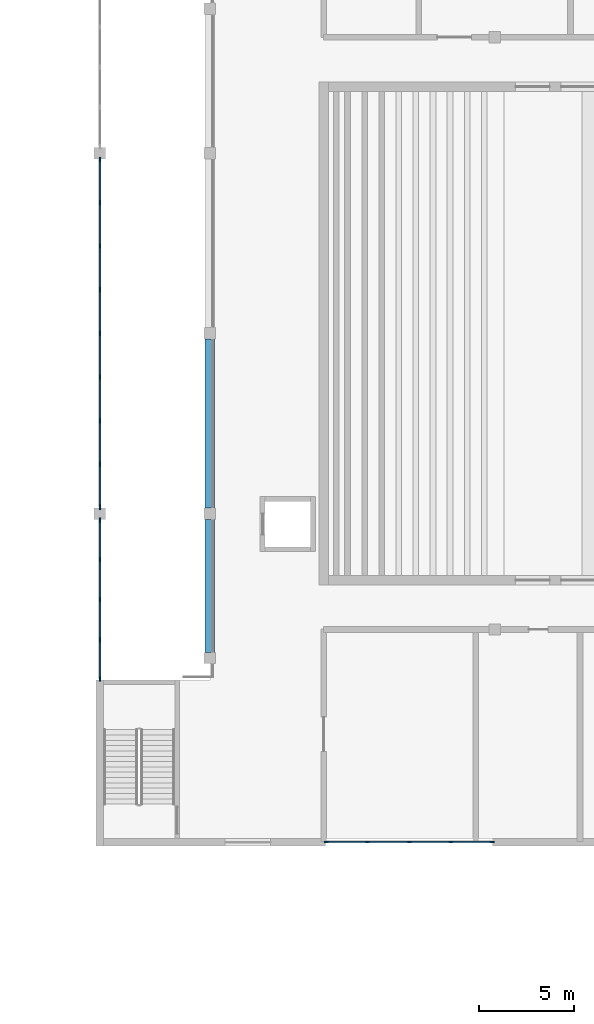
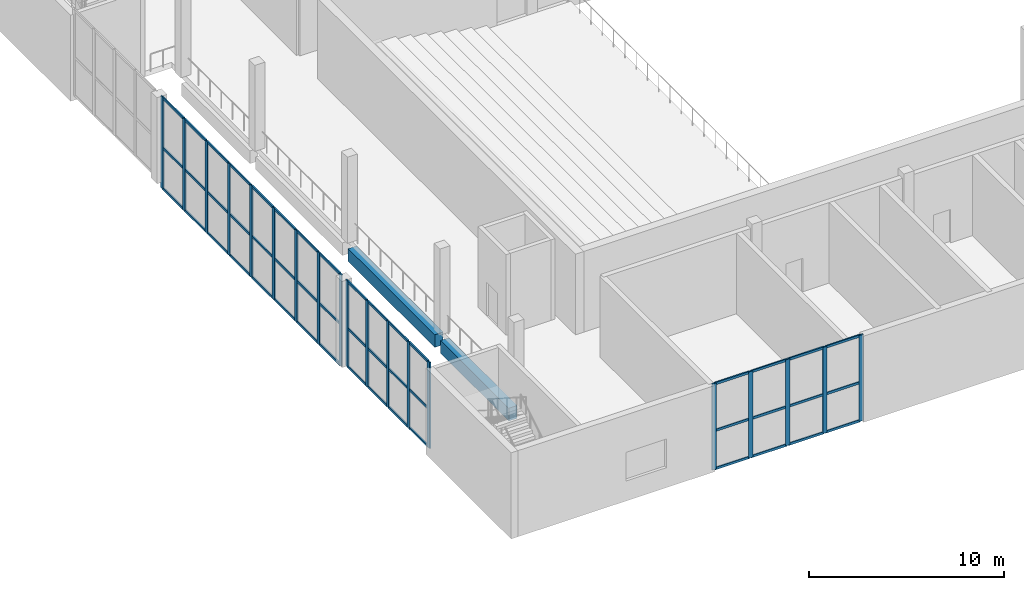
# One storey, part 8 of 44: 67 members, 2 beams, 3 elements without a shape of their own.
"""IFC4 building model written with IfcOpenShell, lengths in metres."""

import ifcopenshell
import ifcopenshell.guid

model = None  # the IFC model being written
_history = None  # IfcOwnerHistory: only IFC2X3 demands one
_inside = {}  # id of a spatial element -> (the spatial element, [elements in it])
_under = {}  # id of a project, library or spatial element -> (it, [spatial elements below it])
_declared = {}  # id of a project -> (the project, [libraries it declares])
_typed = {}  # id of a type object -> (the type object, [elements of that type])
_made_of = {}  # id of a material, layer set ... -> (it, [elements and type objects made of it])


def new_model(schema):
    """Start an empty IFC model of exactly this schema.

    Asked for "IFC4X3", IfcOpenShell would pick the latest addendum, in which some entities
    have other attributes; the version numbers below select the first issue.
    IFC2X3 requires an IfcOwnerHistory on every rooted entity: one is made here for all.
    """
    global model, _history
    if schema == "IFC4X3":
        model = ifcopenshell.file(schema_version=(4, 3, 0, 0))
    else:
        model = ifcopenshell.file(schema=schema)
    _inside.clear()
    _under.clear()
    _declared.clear()
    _typed.clear()
    _made_of.clear()
    _history = None
    if model.schema == "IFC2X3":
        org = make("IfcOrganization", Name="unknown")
        user = make(
            "IfcPersonAndOrganization",
            ThePerson=make("IfcPerson", FamilyName="unknown"),
            TheOrganization=org,
        )
        app = make(
            "IfcApplication",
            ApplicationDeveloper=org,
            Version="unknown",
            ApplicationFullName="unknown",
            ApplicationIdentifier="unknown",
        )
        _history = make(
            "IfcOwnerHistory",
            OwningUser=user,
            OwningApplication=app,
            ChangeAction="ADDED",
            CreationDate=0,
        )
    return model


def make(cls, **values):
    """One entity of the class cls with the attributes given. An attribute that is None is left unset."""
    return model.create_entity(
        cls, **{name: value for name, value in values.items() if value is not None}
    )


def rooted(cls, **values):
    """An entity with a GlobalId (a new one), such as an element, a storey or a relation."""
    return make(cls, GlobalId=ifcopenshell.guid.new(), OwnerHistory=_history, **values)


def si_unit(unit_type, name, prefix=None):
    """IfcSIUnit, for example si_unit("LENGTHUNIT", "METRE", prefix="MILLI")."""
    return make("IfcSIUnit", UnitType=unit_type, Prefix=prefix, Name=name)


def assignment(units):
    """IfcUnitAssignment: the units of a project."""
    return None if units is None else make("IfcUnitAssignment", Units=units)


def point(xyz):
    """IfcCartesianPoint."""
    return None if xyz is None else make("IfcCartesianPoint", Coordinates=xyz)


def direction(xyz):
    """IfcDirection."""
    return None if xyz is None else make("IfcDirection", DirectionRatios=xyz)


def frame(location, z_axis=None, x_axis=None):
    """IfcAxis2Placement3D, a coordinate frame: its origin and axes. An axis left out is left unset."""
    return make(
        "IfcAxis2Placement3D",
        Location=point(location),
        Axis=direction(z_axis),
        RefDirection=direction(x_axis),
    )


def frame_2d(location, x_axis=None):
    """IfcAxis2Placement2D, a coordinate frame in the plane: its origin and x axis."""
    return make(
        "IfcAxis2Placement2D", Location=point(location), RefDirection=direction(x_axis)
    )


def origin():
    """The frame at (0, 0, 0) with its axes left unset."""
    return frame((0.0, 0.0, 0.0))


def origin_2d():
    """The frame at (0, 0) in the plane with its x axis left unset."""
    return frame_2d((0.0, 0.0))


def place(relative_to, where):
    """IfcLocalPlacement: puts the frame where relative to a parent placement (None: the world)."""
    return make(
        "IfcLocalPlacement", PlacementRelTo=relative_to, RelativePlacement=where
    )


def context(
    kind, dimensions, precision=None, world=None, true_north=None, identifier=None
):
    """IfcGeometricRepresentationContext, for example the 3D "Model" context."""
    return make(
        "IfcGeometricRepresentationContext",
        ContextIdentifier=identifier,
        ContextType=kind,
        CoordinateSpaceDimension=dimensions,
        Precision=precision,
        WorldCoordinateSystem=world,
        TrueNorth=true_north,
    )


def subcontext(parent, identifier, kind, view, scale=None):
    """IfcGeometricRepresentationSubContext, for example "Body" below "Model"."""
    return make(
        "IfcGeometricRepresentationSubContext",
        ContextIdentifier=identifier,
        ContextType=kind,
        ParentContext=parent,
        TargetScale=scale,
        TargetView=view,
    )


def project(units=None, contexts=None):
    """IfcProject with its units and contexts."""
    return rooted(
        "IfcProject",
        Name="project",
        RepresentationContexts=contexts,
        UnitsInContext=assignment(units),
    )


def spatial(cls, under=None, at=None, **own):
    """A site, building, storey or space (cls), placed at a placement, below another one or the project."""
    s = rooted(cls, ObjectPlacement=at, **own)
    if under is not None:
        _under.setdefault(under.id(), (under, []))[1].append(s)
    return s


def profile(cls, at=None, kind="AREA", **sizes):
    """A parametric profile (cls). Its sizes go by their IFC names, for example OverallWidth=200.0."""
    return make(cls, ProfileType=kind, Position=at, **sizes)


def rectangle(**sizes):
    """IfcRectangleProfileDef."""
    return profile("IfcRectangleProfileDef", **sizes)


def extrude(swept, where, along, depth):
    """IfcExtrudedAreaSolid: the profile swept, set in the frame where, extruded along a direction by depth."""
    return make(
        "IfcExtrudedAreaSolid",
        SweptArea=swept,
        Position=where,
        ExtrudedDirection=direction(along),
        Depth=depth,
    )


def shape(context_of_items, identifier, shape_type, items):
    """IfcShapeRepresentation: the items that make up one representation, for example the "Body"."""
    return make(
        "IfcShapeRepresentation",
        ContextOfItems=context_of_items,
        RepresentationIdentifier=identifier,
        RepresentationType=shape_type,
        Items=items,
    )


def material(Name=None, Category=None):
    """IfcMaterial."""
    return make("IfcMaterial", Name=Name, Category=Category)


def material_profile(
    of_material, cross_section, Name=None, Category=None, Priority=None
):
    """IfcMaterialProfile: a cross section and its material."""
    return make(
        "IfcMaterialProfile",
        Name=Name,
        Material=of_material,
        Profile=cross_section,
        Priority=Priority,
        Category=Category,
    )


def profile_set(profiles, Name=None, composite=None):
    """IfcMaterialProfileSet."""
    return make(
        "IfcMaterialProfileSet",
        Name=Name,
        MaterialProfiles=profiles,
        CompositeProfile=composite,
    )


def made_of(thing, what):
    """Note that an element or type object is made of a material, layer set ...; save() writes the relation."""
    if what is not None:
        _made_of.setdefault(what.id(), (what, []))[1].append(thing)
    return thing


def type_object(cls, material=None, **own):
    """A type object (cls), such as IfcWallType, which elements share."""
    return made_of(rooted(cls, **own), material)


def element(
    cls,
    number,
    at=None,
    inside=None,
    cuts=None,
    type_object=None,
    material=None,
    context=None,
    identifier="Body",
    shape_type=None,
    held_by="IfcProductDefinitionShape",
    body=None,
    shapes=None,
    **own,
):
    """One element of the class cls, such as IfcWall. Its Tag is "e" and its number.

    at: its placement. inside: the storey or other place that contains it. cuts: it is an
    opening in that element (IfcRelVoidsElement). A single representation is given by context,
    identifier, shape_type and body (its items); several are given by shapes. held_by: the class
    of the entity that holds the representations. save() writes the other relations.
    """
    e = rooted(cls, Tag="e%d" % number, ObjectPlacement=at, **own)
    if body is not None:
        shapes = [shape(context, identifier, shape_type, body)]
    if shapes is not None:
        e.Representation = make(held_by, Representations=shapes)
    if inside is not None:
        _inside.setdefault(inside.id(), (inside, []))[1].append(e)
    if cuts is not None:
        rooted(
            "IfcRelVoidsElement", RelatingBuildingElement=cuts, RelatedOpeningElement=e
        )
    if type_object is not None:
        _typed.setdefault(type_object.id(), (type_object, []))[1].append(e)
    return made_of(e, material)


def aggregate(whole, parts):
    """IfcRelAggregates: a whole, such as a stair, and the parts it consists of."""
    return rooted("IfcRelAggregates", RelatingObject=whole, RelatedObjects=parts)


def save(model, path):
    """Write the relations noted so far, then the file.

    IfcRelAggregates (storeys below a building ...), IfcRelContainedInSpatialStructure (elements
    in a storey), IfcRelDefinesByType, IfcRelAssociatesMaterial and IfcRelDeclares: one each for
    every whole, place, type object, material and project.
    """
    for whole, parts in _under.values():
        aggregate(whole, parts)
    for where, things in _inside.values():
        rooted(
            "IfcRelContainedInSpatialStructure",
            RelatedElements=things,
            RelatingStructure=where,
        )
    for kind, things in _typed.values():
        rooted("IfcRelDefinesByType", RelatedObjects=things, RelatingType=kind)
    for what, things in _made_of.values():
        rooted("IfcRelAssociatesMaterial", RelatedObjects=things, RelatingMaterial=what)
    for by, libraries in _declared.values():
        rooted("IfcRelDeclares", RelatingContext=by, RelatedDefinitions=libraries)
    model.write(path)


model = new_model("IFC4")

# Units and contexts
model_context = context("Model", 3, precision=1e-05, world=origin(), true_north=direction((0.0, 1.0)))
body_context = subcontext(model_context, "Body", "Model", "MODEL_VIEW")
ifc_project = project(units=[si_unit("LENGTHUNIT", "METRE"), si_unit("AREAUNIT", "SQUARE_METRE"), si_unit("VOLUMEUNIT", "CUBIC_METRE"), si_unit("PLANEANGLEUNIT", "RADIAN"), si_unit("MASSUNIT", "GRAM", prefix="KILO")], contexts=[model_context])

# Site, building, storey
site_placement = place(None, origin())
site = spatial("IfcSite", under=ifc_project, at=site_placement, CompositionType="ELEMENT")
building_placement = place(site_placement, origin())
building = spatial("IfcBuilding", under=site, at=building_placement, Name="Hunhe Ridgeline Campus", CompositionType="ELEMENT")
storey_placement = place(building_placement, frame((0.0, 0.0, 6.0)))
storey = spatial("IfcBuildingStorey", under=building, at=storey_placement, Name="L01", CompositionType="ELEMENT", Elevation=6.0)

# Curtain wall, members
ifc_material_1 = material(Name="Aluminium and glass", Category="aluminium")
curtain_wall_type = type_object("IfcCurtainWallType", Name="Hall foyer curtain wall CW-H", PredefinedType="NOTDEFINED", material=ifc_material_1)
curtain_wall_1_placement = place(storey_placement, origin())
curtain_wall_1 = element("IfcCurtainWall", 1, at=curtain_wall_1_placement, inside=storey, type_object=curtain_wall_type, Name="L01 foyer curtain wall 3", PredefinedType="NOTDEFINED")
ifc_material_2 = material(Name="Aluminium", Category="aluminium")
ifc_material_profile_1 = material_profile(ifc_material_2, rectangle(XDim=0.080078125, YDim=0.25, at=origin_2d()))
ifc_profile_set_1 = profile_set([ifc_material_profile_1], Name="Aluminium")
member_type_1 = type_object("IfcMemberType", Name="CW-H mullion 80x250", PredefinedType="MULLION", material=ifc_profile_set_1)
member_1_placement = place(storey_placement, frame((150.199951171875, 31.2900390625, 0.0), z_axis=(0.0, 0.0, 1.0), x_axis=(-1.0, 0.0, 0.0)))
member_1 = element("IfcMember", 2, at=member_1_placement, type_object=member_type_1, Name="HCW1 mullion 1", PredefinedType="MULLION", context=body_context, shape_type="SweptSolid", body=[
    extrude(rectangle(XDim=0.080078125, YDim=0.25, at=origin_2d()), origin(), (0.0, 0.0, 1.0), 5.39990234375),
])
member_2_placement = place(storey_placement, frame((150.199951171875, 33.362548828125, 0.0), z_axis=(0.0, 0.0, 1.0), x_axis=(-1.0, 0.0, 0.0)))
member_2 = element("IfcMember", 3, at=member_2_placement, type_object=member_type_1, Name="HCW1 mullion 2", PredefinedType="MULLION", context=body_context, shape_type="SweptSolid", body=[
    extrude(rectangle(XDim=0.080078125, YDim=0.25, at=origin_2d()), origin(), (0.0, 0.0, 1.0), 5.39990234375),
])
member_3_placement = place(storey_placement, frame((150.199951171875, 35.47509765625, 0.0), z_axis=(0.0, 0.0, 1.0), x_axis=(-1.0, 0.0, 0.0)))
member_3 = element("IfcMember", 4, at=member_3_placement, type_object=member_type_1, Name="HCW1 mullion 3", PredefinedType="MULLION", context=body_context, shape_type="SweptSolid", body=[
    extrude(rectangle(XDim=0.080078125, YDim=0.25, at=origin_2d()), origin(), (0.0, 0.0, 1.0), 5.39990234375),
])
member_4_placement = place(storey_placement, frame((150.199951171875, 37.58740234375, 0.0), z_axis=(0.0, 0.0, 1.0), x_axis=(-1.0, 0.0, 0.0)))
member_4 = element("IfcMember", 5, at=member_4_placement, type_object=member_type_1, Name="HCW1 mullion 4", PredefinedType="MULLION", context=body_context, shape_type="SweptSolid", body=[
    extrude(rectangle(XDim=0.080078125, YDim=0.25, at=origin_2d()), origin(), (0.0, 0.0, 1.0), 5.39990234375),
])
member_5_placement = place(storey_placement, frame((150.199951171875, 39.659912109375, 0.0), z_axis=(0.0, 0.0, 1.0), x_axis=(-1.0, 0.0, 0.0)))
member_5 = element("IfcMember", 6, at=member_5_placement, type_object=member_type_1, Name="HCW1 mullion 5", PredefinedType="MULLION", context=body_context, shape_type="SweptSolid", body=[
    extrude(rectangle(XDim=0.080078125, YDim=0.25, at=origin_2d()), origin(), (0.0, 0.0, 1.0), 5.39990234375),
])

curtain_wall_2_placement = place(storey_placement, origin())
curtain_wall_2 = element("IfcCurtainWall", 7, at=curtain_wall_2_placement, inside=storey, type_object=curtain_wall_type, Name="L01 foyer curtain wall 4", PredefinedType="NOTDEFINED")
member_6_placement = place(storey_placement, frame((150.199951171875, 40.340087890625, -0.35009765625), z_axis=(0.0, 0.0, 1.0), x_axis=(-1.0, 0.0, 0.0)))
member_6 = element("IfcMember", 8, at=member_6_placement, type_object=member_type_1, Name="HCW1 mullion 1", PredefinedType="MULLION", context=body_context, shape_type="SweptSolid", body=[
    extrude(rectangle(XDim=0.080078125, YDim=0.25, at=origin_2d()), origin(), (0.0, 0.0, 1.0), 5.75),
])
member_7_placement = place(storey_placement, frame((150.199951171875, 42.60009765625, -0.35009765625), z_axis=(0.0, 0.0, 1.0), x_axis=(-1.0, 0.0, 0.0)))
member_7 = element("IfcMember", 9, at=member_7_placement, type_object=member_type_1, Name="HCW1 mullion 2", PredefinedType="MULLION", context=body_context, shape_type="SweptSolid", body=[
    extrude(rectangle(XDim=0.080078125, YDim=0.25, at=origin_2d()), origin(), (0.0, 0.0, 1.0), 5.75),
])
member_8_placement = place(storey_placement, frame((150.199951171875, 44.89990234375, -0.35009765625), z_axis=(0.0, 0.0, 1.0), x_axis=(-1.0, 0.0, 0.0)))
member_8 = element("IfcMember", 10, at=member_8_placement, type_object=member_type_1, Name="HCW1 mullion 3", PredefinedType="MULLION", context=body_context, shape_type="SweptSolid", body=[
    extrude(rectangle(XDim=0.080078125, YDim=0.25, at=origin_2d()), origin(), (0.0, 0.0, 1.0), 5.75),
])
member_9_placement = place(storey_placement, frame((150.199951171875, 47.199951171875, -0.35009765625), z_axis=(0.0, 0.0, 1.0), x_axis=(-1.0, 0.0, 0.0)))
member_9 = element("IfcMember", 11, at=member_9_placement, type_object=member_type_1, Name="HCW1 mullion 4", PredefinedType="MULLION", context=body_context, shape_type="SweptSolid", body=[
    extrude(rectangle(XDim=0.080078125, YDim=0.25, at=origin_2d()), origin(), (0.0, 0.0, 1.0), 5.75),
])
member_10_placement = place(storey_placement, frame((150.199951171875, 49.5, -0.35009765625), z_axis=(0.0, 0.0, 1.0), x_axis=(-1.0, 0.0, 0.0)))
member_10 = element("IfcMember", 12, at=member_10_placement, type_object=member_type_1, Name="HCW1 mullion 5", PredefinedType="MULLION", context=body_context, shape_type="SweptSolid", body=[
    extrude(rectangle(XDim=0.080078125, YDim=0.25, at=origin_2d()), origin(), (0.0, 0.0, 1.0), 5.75),
])
member_11_placement = place(storey_placement, frame((150.199951171875, 51.800048828125, -0.35009765625), z_axis=(0.0, 0.0, 1.0), x_axis=(-1.0, 0.0, 0.0)))
member_11 = element("IfcMember", 13, at=member_11_placement, type_object=member_type_1, Name="HCW1 mullion 6", PredefinedType="MULLION", context=body_context, shape_type="SweptSolid", body=[
    extrude(rectangle(XDim=0.080078125, YDim=0.25, at=origin_2d()), origin(), (0.0, 0.0, 1.0), 5.75),
])
member_12_placement = place(storey_placement, frame((150.199951171875, 54.10009765625, -0.35009765625), z_axis=(0.0, 0.0, 1.0), x_axis=(-1.0, 0.0, 0.0)))
member_12 = element("IfcMember", 14, at=member_12_placement, type_object=member_type_1, Name="HCW1 mullion 7", PredefinedType="MULLION", context=body_context, shape_type="SweptSolid", body=[
    extrude(rectangle(XDim=0.080078125, YDim=0.25, at=origin_2d()), origin(), (0.0, 0.0, 1.0), 5.75),
])
member_13_placement = place(storey_placement, frame((150.199951171875, 56.39990234375, -0.35009765625), z_axis=(0.0, 0.0, 1.0), x_axis=(-1.0, 0.0, 0.0)))
member_13 = element("IfcMember", 15, at=member_13_placement, type_object=member_type_1, Name="HCW1 mullion 8", PredefinedType="MULLION", context=body_context, shape_type="SweptSolid", body=[
    extrude(rectangle(XDim=0.080078125, YDim=0.25, at=origin_2d()), origin(), (0.0, 0.0, 1.0), 5.75),
])
member_14_placement = place(storey_placement, frame((150.199951171875, 58.659912109375, -0.35009765625), z_axis=(0.0, 0.0, 1.0), x_axis=(-1.0, 0.0, 0.0)))
member_14 = element("IfcMember", 16, at=member_14_placement, type_object=member_type_1, Name="HCW1 mullion 9", PredefinedType="MULLION", context=body_context, shape_type="SweptSolid", body=[
    extrude(rectangle(XDim=0.080078125, YDim=0.25, at=origin_2d()), origin(), (0.0, 0.0, 1.0), 5.75),
])

curtain_wall_3_placement = place(storey_placement, origin())
curtain_wall_3 = element("IfcCurtainWall", 17, at=curtain_wall_3_placement, inside=storey, type_object=curtain_wall_type, Name="L01 south curtain wall 6", PredefinedType="NOTDEFINED")
member_15_placement = place(storey_placement, frame((162.139892578125, 22.699951171875, -0.35009765625), z_axis=(0.0, 0.0, 1.0), x_axis=(0.0, 1.0, 0.0)))
member_15 = element("IfcMember", 18, at=member_15_placement, type_object=member_type_1, Name="HCW1 mullion 1", PredefinedType="MULLION", context=body_context, shape_type="SweptSolid", body=[
    extrude(rectangle(XDim=0.080078125, YDim=0.25, at=origin_2d()), origin(), (0.0, 0.0, 1.0), 5.400146484375),
])
member_16_placement = place(storey_placement, frame((164.300048828125, 22.699951171875, -0.35009765625), z_axis=(0.0, 0.0, 1.0), x_axis=(0.0, 1.0, 0.0)))
member_16 = element("IfcMember", 19, at=member_16_placement, type_object=member_type_1, Name="HCW1 mullion 2", PredefinedType="MULLION", context=body_context, shape_type="SweptSolid", body=[
    extrude(rectangle(XDim=0.080078125, YDim=0.25, at=origin_2d()), origin(), (0.0, 0.0, 1.0), 5.400146484375),
])
member_17_placement = place(storey_placement, frame((166.5, 22.699951171875, -0.35009765625), z_axis=(0.0, 0.0, 1.0), x_axis=(0.0, 1.0, 0.0)))
member_17 = element("IfcMember", 20, at=member_17_placement, type_object=member_type_1, Name="HCW1 mullion 3", PredefinedType="MULLION", context=body_context, shape_type="SweptSolid", body=[
    extrude(rectangle(XDim=0.080078125, YDim=0.25, at=origin_2d()), origin(), (0.0, 0.0, 1.0), 5.400146484375),
])
member_18_placement = place(storey_placement, frame((168.699951171875, 22.699951171875, -0.35009765625), z_axis=(0.0, 0.0, 1.0), x_axis=(0.0, 1.0, 0.0)))
member_18 = element("IfcMember", 21, at=member_18_placement, type_object=member_type_1, Name="HCW1 mullion 4", PredefinedType="MULLION", context=body_context, shape_type="SweptSolid", body=[
    extrude(rectangle(XDim=0.080078125, YDim=0.25, at=origin_2d()), origin(), (0.0, 0.0, 1.0), 5.400146484375),
])
member_19_placement = place(storey_placement, frame((170.860107421875, 22.699951171875, -0.35009765625), z_axis=(0.0, 0.0, 1.0), x_axis=(0.0, 1.0, 0.0)))
member_19 = element("IfcMember", 22, at=member_19_placement, type_object=member_type_1, Name="HCW1 mullion 5", PredefinedType="MULLION", context=body_context, shape_type="SweptSolid", body=[
    extrude(rectangle(XDim=0.080078125, YDim=0.25, at=origin_2d()), origin(), (0.0, 0.0, 1.0), 5.400146484375),
])

# Member
ifc_material_profile_2 = material_profile(ifc_material_2, rectangle(XDim=0.080078125, YDim=0.14990234375, at=origin_2d()))
ifc_profile_set_2 = profile_set([ifc_material_profile_2], Name="Aluminium")
member_type_2 = type_object("IfcMemberType", Name="CW-H transom 80x150", PredefinedType="USERDEFINED", material=ifc_profile_set_2)
member_20_placement = place(storey_placement, frame((150.199951171875, 31.330078125, 0.0400390625), z_axis=(0.0, 1.0, 0.0), x_axis=(-1.0, 0.0, 0.0)))
member_20 = element("IfcMember", 23, at=member_20_placement, type_object=member_type_2, Name="HCW1 transom 1.1", ObjectType="TRANSOM", PredefinedType="USERDEFINED", context=body_context, shape_type="SweptSolid", body=[
    extrude(rectangle(XDim=0.080078125, YDim=0.14990234375, at=origin_2d()), origin(), (0.0, 0.0, 1.0), 1.992431640625),
])

member_21_placement = place(storey_placement, frame((150.199951171875, 31.330078125, 2.429931640625), z_axis=(0.0, 1.0, 0.0), x_axis=(-1.0, 0.0, 0.0)))
member_21 = element("IfcMember", 24, at=member_21_placement, type_object=member_type_2, Name="HCW1 transom 1.2", ObjectType="TRANSOM", PredefinedType="USERDEFINED", context=body_context, shape_type="SweptSolid", body=[
    extrude(rectangle(XDim=0.080078125, YDim=0.14990234375, at=origin_2d()), origin(), (0.0, 0.0, 1.0), 1.992431640625),
])

member_22_placement = place(storey_placement, frame((150.199951171875, 31.330078125, 5.360107421875), z_axis=(0.0, 1.0, 0.0), x_axis=(-1.0, 0.0, 0.0)))
member_22 = element("IfcMember", 25, at=member_22_placement, type_object=member_type_2, Name="HCW1 transom 1.3", ObjectType="TRANSOM", PredefinedType="USERDEFINED", context=body_context, shape_type="SweptSolid", body=[
    extrude(rectangle(XDim=0.080078125, YDim=0.14990234375, at=origin_2d()), origin(), (0.0, 0.0, 1.0), 1.992431640625),
])

member_23_placement = place(storey_placement, frame((150.199951171875, 33.402587890625, 0.0400390625), z_axis=(0.0, 1.0, 0.0), x_axis=(-1.0, 0.0, 0.0)))
member_23 = element("IfcMember", 26, at=member_23_placement, type_object=member_type_2, Name="HCW1 transom 2.1", ObjectType="TRANSOM", PredefinedType="USERDEFINED", context=body_context, shape_type="SweptSolid", body=[
    extrude(rectangle(XDim=0.080078125, YDim=0.14990234375, at=origin_2d()), origin(), (0.0, 0.0, 1.0), 2.032470703125),
])

member_24_placement = place(storey_placement, frame((150.199951171875, 33.402587890625, 2.429931640625), z_axis=(0.0, 1.0, 0.0), x_axis=(-1.0, 0.0, 0.0)))
member_24 = element("IfcMember", 27, at=member_24_placement, type_object=member_type_2, Name="HCW1 transom 2.2", ObjectType="TRANSOM", PredefinedType="USERDEFINED", context=body_context, shape_type="SweptSolid", body=[
    extrude(rectangle(XDim=0.080078125, YDim=0.14990234375, at=origin_2d()), origin(), (0.0, 0.0, 1.0), 2.032470703125),
])

member_25_placement = place(storey_placement, frame((150.199951171875, 33.402587890625, 5.360107421875), z_axis=(0.0, 1.0, 0.0), x_axis=(-1.0, 0.0, 0.0)))
member_25 = element("IfcMember", 28, at=member_25_placement, type_object=member_type_2, Name="HCW1 transom 2.3", ObjectType="TRANSOM", PredefinedType="USERDEFINED", context=body_context, shape_type="SweptSolid", body=[
    extrude(rectangle(XDim=0.080078125, YDim=0.14990234375, at=origin_2d()), origin(), (0.0, 0.0, 1.0), 2.032470703125),
])

member_26_placement = place(storey_placement, frame((150.199951171875, 35.514892578125, 0.0400390625), z_axis=(0.0, 1.0, 0.0), x_axis=(-1.0, 0.0, 0.0)))
member_26 = element("IfcMember", 29, at=member_26_placement, type_object=member_type_2, Name="HCW1 transom 3.1", ObjectType="TRANSOM", PredefinedType="USERDEFINED", context=body_context, shape_type="SweptSolid", body=[
    extrude(rectangle(XDim=0.080078125, YDim=0.14990234375, at=origin_2d()), origin(), (0.0, 0.0, 1.0), 2.03271484375),
])

member_27_placement = place(storey_placement, frame((150.199951171875, 35.514892578125, 2.429931640625), z_axis=(0.0, 1.0, 0.0), x_axis=(-1.0, 0.0, 0.0)))
member_27 = element("IfcMember", 30, at=member_27_placement, type_object=member_type_2, Name="HCW1 transom 3.2", ObjectType="TRANSOM", PredefinedType="USERDEFINED", context=body_context, shape_type="SweptSolid", body=[
    extrude(rectangle(XDim=0.080078125, YDim=0.14990234375, at=origin_2d()), origin(), (0.0, 0.0, 1.0), 2.03271484375),
])

member_28_placement = place(storey_placement, frame((150.199951171875, 35.514892578125, 5.360107421875), z_axis=(0.0, 1.0, 0.0), x_axis=(-1.0, 0.0, 0.0)))
member_28 = element("IfcMember", 31, at=member_28_placement, type_object=member_type_2, Name="HCW1 transom 3.3", ObjectType="TRANSOM", PredefinedType="USERDEFINED", context=body_context, shape_type="SweptSolid", body=[
    extrude(rectangle(XDim=0.080078125, YDim=0.14990234375, at=origin_2d()), origin(), (0.0, 0.0, 1.0), 2.03271484375),
])

member_29_placement = place(storey_placement, frame((150.199951171875, 37.62744140625, 0.0400390625), z_axis=(0.0, 1.0, 0.0), x_axis=(-1.0, 0.0, 0.0)))
member_29 = element("IfcMember", 32, at=member_29_placement, type_object=member_type_2, Name="HCW1 transom 4.1", ObjectType="TRANSOM", PredefinedType="USERDEFINED", context=body_context, shape_type="SweptSolid", body=[
    extrude(rectangle(XDim=0.080078125, YDim=0.14990234375, at=origin_2d()), origin(), (0.0, 0.0, 1.0), 1.99267578125),
])

member_30_placement = place(storey_placement, frame((150.199951171875, 37.62744140625, 2.429931640625), z_axis=(0.0, 1.0, 0.0), x_axis=(-1.0, 0.0, 0.0)))
member_30 = element("IfcMember", 33, at=member_30_placement, type_object=member_type_2, Name="HCW1 transom 4.2", ObjectType="TRANSOM", PredefinedType="USERDEFINED", context=body_context, shape_type="SweptSolid", body=[
    extrude(rectangle(XDim=0.080078125, YDim=0.14990234375, at=origin_2d()), origin(), (0.0, 0.0, 1.0), 1.99267578125),
])

member_31_placement = place(storey_placement, frame((150.199951171875, 37.62744140625, 5.360107421875), z_axis=(0.0, 1.0, 0.0), x_axis=(-1.0, 0.0, 0.0)))
member_31 = element("IfcMember", 34, at=member_31_placement, type_object=member_type_2, Name="HCW1 transom 4.3", ObjectType="TRANSOM", PredefinedType="USERDEFINED", context=body_context, shape_type="SweptSolid", body=[
    extrude(rectangle(XDim=0.080078125, YDim=0.14990234375, at=origin_2d()), origin(), (0.0, 0.0, 1.0), 1.99267578125),
])

aggregate(curtain_wall_1, [member_1, member_2, member_3, member_4, member_5, member_20, member_21, member_22, member_23, member_24, member_25, member_26, member_27, member_28, member_29, member_30, member_31])

member_32_placement = place(storey_placement, frame((150.199951171875, 40.3798828125, -0.31005859375), z_axis=(0.0, 1.0, 0.0), x_axis=(-1.0, 0.0, 0.0)))
member_32 = element("IfcMember", 35, at=member_32_placement, type_object=member_type_2, Name="HCW1 transom 1.1", ObjectType="TRANSOM", PredefinedType="USERDEFINED", context=body_context, shape_type="SweptSolid", body=[
    extrude(rectangle(XDim=0.080078125, YDim=0.14990234375, at=origin_2d()), origin(), (0.0, 0.0, 1.0), 2.18017578125),
])

member_33_placement = place(storey_placement, frame((150.199951171875, 40.3798828125, 2.237548828125), z_axis=(0.0, 1.0, 0.0), x_axis=(-1.0, 0.0, 0.0)))
member_33 = element("IfcMember", 36, at=member_33_placement, type_object=member_type_2, Name="HCW1 transom 1.2", ObjectType="TRANSOM", PredefinedType="USERDEFINED", context=body_context, shape_type="SweptSolid", body=[
    extrude(rectangle(XDim=0.080078125, YDim=0.14990234375, at=origin_2d()), origin(), (0.0, 0.0, 1.0), 2.18017578125),
])

member_34_placement = place(storey_placement, frame((150.199951171875, 40.3798828125, 5.360107421875), z_axis=(0.0, 1.0, 0.0), x_axis=(-1.0, 0.0, 0.0)))
member_34 = element("IfcMember", 37, at=member_34_placement, type_object=member_type_2, Name="HCW1 transom 1.3", ObjectType="TRANSOM", PredefinedType="USERDEFINED", context=body_context, shape_type="SweptSolid", body=[
    extrude(rectangle(XDim=0.080078125, YDim=0.14990234375, at=origin_2d()), origin(), (0.0, 0.0, 1.0), 2.18017578125),
])

member_35_placement = place(storey_placement, frame((150.199951171875, 42.639892578125, -0.31005859375), z_axis=(0.0, 1.0, 0.0), x_axis=(-1.0, 0.0, 0.0)))
member_35 = element("IfcMember", 38, at=member_35_placement, type_object=member_type_2, Name="HCW1 transom 2.1", ObjectType="TRANSOM", PredefinedType="USERDEFINED", context=body_context, shape_type="SweptSolid", body=[
    extrude(rectangle(XDim=0.080078125, YDim=0.14990234375, at=origin_2d()), origin(), (0.0, 0.0, 1.0), 2.22021484375),
])

member_36_placement = place(storey_placement, frame((150.199951171875, 42.639892578125, 2.237548828125), z_axis=(0.0, 1.0, 0.0), x_axis=(-1.0, 0.0, 0.0)))
member_36 = element("IfcMember", 39, at=member_36_placement, type_object=member_type_2, Name="HCW1 transom 2.2", ObjectType="TRANSOM", PredefinedType="USERDEFINED", context=body_context, shape_type="SweptSolid", body=[
    extrude(rectangle(XDim=0.080078125, YDim=0.14990234375, at=origin_2d()), origin(), (0.0, 0.0, 1.0), 2.22021484375),
])

member_37_placement = place(storey_placement, frame((150.199951171875, 42.639892578125, 5.360107421875), z_axis=(0.0, 1.0, 0.0), x_axis=(-1.0, 0.0, 0.0)))
member_37 = element("IfcMember", 40, at=member_37_placement, type_object=member_type_2, Name="HCW1 transom 2.3", ObjectType="TRANSOM", PredefinedType="USERDEFINED", context=body_context, shape_type="SweptSolid", body=[
    extrude(rectangle(XDim=0.080078125, YDim=0.14990234375, at=origin_2d()), origin(), (0.0, 0.0, 1.0), 2.22021484375),
])

member_38_placement = place(storey_placement, frame((150.199951171875, 44.93994140625, -0.31005859375), z_axis=(0.0, 1.0, 0.0), x_axis=(-1.0, 0.0, 0.0)))
member_38 = element("IfcMember", 41, at=member_38_placement, type_object=member_type_2, Name="HCW1 transom 3.1", ObjectType="TRANSOM", PredefinedType="USERDEFINED", context=body_context, shape_type="SweptSolid", body=[
    extrude(rectangle(XDim=0.080078125, YDim=0.14990234375, at=origin_2d()), origin(), (0.0, 0.0, 1.0), 2.219970703125),
])

member_39_placement = place(storey_placement, frame((150.199951171875, 44.93994140625, 2.237548828125), z_axis=(0.0, 1.0, 0.0), x_axis=(-1.0, 0.0, 0.0)))
member_39 = element("IfcMember", 42, at=member_39_placement, type_object=member_type_2, Name="HCW1 transom 3.2", ObjectType="TRANSOM", PredefinedType="USERDEFINED", context=body_context, shape_type="SweptSolid", body=[
    extrude(rectangle(XDim=0.080078125, YDim=0.14990234375, at=origin_2d()), origin(), (0.0, 0.0, 1.0), 2.219970703125),
])

member_40_placement = place(storey_placement, frame((150.199951171875, 44.93994140625, 5.360107421875), z_axis=(0.0, 1.0, 0.0), x_axis=(-1.0, 0.0, 0.0)))
member_40 = element("IfcMember", 43, at=member_40_placement, type_object=member_type_2, Name="HCW1 transom 3.3", ObjectType="TRANSOM", PredefinedType="USERDEFINED", context=body_context, shape_type="SweptSolid", body=[
    extrude(rectangle(XDim=0.080078125, YDim=0.14990234375, at=origin_2d()), origin(), (0.0, 0.0, 1.0), 2.219970703125),
])

member_41_placement = place(storey_placement, frame((150.199951171875, 47.239990234375, -0.31005859375), z_axis=(0.0, 1.0, 0.0), x_axis=(-1.0, 0.0, 0.0)))
member_41 = element("IfcMember", 44, at=member_41_placement, type_object=member_type_2, Name="HCW1 transom 4.1", ObjectType="TRANSOM", PredefinedType="USERDEFINED", context=body_context, shape_type="SweptSolid", body=[
    extrude(rectangle(XDim=0.080078125, YDim=0.14990234375, at=origin_2d()), origin(), (0.0, 0.0, 1.0), 2.219970703125),
])

member_42_placement = place(storey_placement, frame((150.199951171875, 47.239990234375, 2.237548828125), z_axis=(0.0, 1.0, 0.0), x_axis=(-1.0, 0.0, 0.0)))
member_42 = element("IfcMember", 45, at=member_42_placement, type_object=member_type_2, Name="HCW1 transom 4.2", ObjectType="TRANSOM", PredefinedType="USERDEFINED", context=body_context, shape_type="SweptSolid", body=[
    extrude(rectangle(XDim=0.080078125, YDim=0.14990234375, at=origin_2d()), origin(), (0.0, 0.0, 1.0), 2.219970703125),
])

member_43_placement = place(storey_placement, frame((150.199951171875, 47.239990234375, 5.360107421875), z_axis=(0.0, 1.0, 0.0), x_axis=(-1.0, 0.0, 0.0)))
member_43 = element("IfcMember", 46, at=member_43_placement, type_object=member_type_2, Name="HCW1 transom 4.3", ObjectType="TRANSOM", PredefinedType="USERDEFINED", context=body_context, shape_type="SweptSolid", body=[
    extrude(rectangle(XDim=0.080078125, YDim=0.14990234375, at=origin_2d()), origin(), (0.0, 0.0, 1.0), 2.219970703125),
])

member_44_placement = place(storey_placement, frame((150.199951171875, 49.5400390625, -0.31005859375), z_axis=(0.0, 1.0, 0.0), x_axis=(-1.0, 0.0, 0.0)))
member_44 = element("IfcMember", 47, at=member_44_placement, type_object=member_type_2, Name="HCW1 transom 5.1", ObjectType="TRANSOM", PredefinedType="USERDEFINED", context=body_context, shape_type="SweptSolid", body=[
    extrude(rectangle(XDim=0.080078125, YDim=0.14990234375, at=origin_2d()), origin(), (0.0, 0.0, 1.0), 2.219970703125),
])

member_45_placement = place(storey_placement, frame((150.199951171875, 49.5400390625, 2.237548828125), z_axis=(0.0, 1.0, 0.0), x_axis=(-1.0, 0.0, 0.0)))
member_45 = element("IfcMember", 48, at=member_45_placement, type_object=member_type_2, Name="HCW1 transom 5.2", ObjectType="TRANSOM", PredefinedType="USERDEFINED", context=body_context, shape_type="SweptSolid", body=[
    extrude(rectangle(XDim=0.080078125, YDim=0.14990234375, at=origin_2d()), origin(), (0.0, 0.0, 1.0), 2.219970703125),
])

member_46_placement = place(storey_placement, frame((150.199951171875, 49.5400390625, 5.360107421875), z_axis=(0.0, 1.0, 0.0), x_axis=(-1.0, 0.0, 0.0)))
member_46 = element("IfcMember", 49, at=member_46_placement, type_object=member_type_2, Name="HCW1 transom 5.3", ObjectType="TRANSOM", PredefinedType="USERDEFINED", context=body_context, shape_type="SweptSolid", body=[
    extrude(rectangle(XDim=0.080078125, YDim=0.14990234375, at=origin_2d()), origin(), (0.0, 0.0, 1.0), 2.219970703125),
])

member_47_placement = place(storey_placement, frame((150.199951171875, 51.840087890625, -0.31005859375), z_axis=(0.0, 1.0, 0.0), x_axis=(-1.0, 0.0, 0.0)))
member_47 = element("IfcMember", 50, at=member_47_placement, type_object=member_type_2, Name="HCW1 transom 6.1", ObjectType="TRANSOM", PredefinedType="USERDEFINED", context=body_context, shape_type="SweptSolid", body=[
    extrude(rectangle(XDim=0.080078125, YDim=0.14990234375, at=origin_2d()), origin(), (0.0, 0.0, 1.0), 2.219970703125),
])

member_48_placement = place(storey_placement, frame((150.199951171875, 51.840087890625, 2.237548828125), z_axis=(0.0, 1.0, 0.0), x_axis=(-1.0, 0.0, 0.0)))
member_48 = element("IfcMember", 51, at=member_48_placement, type_object=member_type_2, Name="HCW1 transom 6.2", ObjectType="TRANSOM", PredefinedType="USERDEFINED", context=body_context, shape_type="SweptSolid", body=[
    extrude(rectangle(XDim=0.080078125, YDim=0.14990234375, at=origin_2d()), origin(), (0.0, 0.0, 1.0), 2.219970703125),
])

member_49_placement = place(storey_placement, frame((150.199951171875, 51.840087890625, 5.360107421875), z_axis=(0.0, 1.0, 0.0), x_axis=(-1.0, 0.0, 0.0)))
member_49 = element("IfcMember", 52, at=member_49_placement, type_object=member_type_2, Name="HCW1 transom 6.3", ObjectType="TRANSOM", PredefinedType="USERDEFINED", context=body_context, shape_type="SweptSolid", body=[
    extrude(rectangle(XDim=0.080078125, YDim=0.14990234375, at=origin_2d()), origin(), (0.0, 0.0, 1.0), 2.219970703125),
])

member_50_placement = place(storey_placement, frame((150.199951171875, 54.139892578125, -0.31005859375), z_axis=(0.0, 1.0, 0.0), x_axis=(-1.0, 0.0, 0.0)))
member_50 = element("IfcMember", 53, at=member_50_placement, type_object=member_type_2, Name="HCW1 transom 7.1", ObjectType="TRANSOM", PredefinedType="USERDEFINED", context=body_context, shape_type="SweptSolid", body=[
    extrude(rectangle(XDim=0.080078125, YDim=0.14990234375, at=origin_2d()), origin(), (0.0, 0.0, 1.0), 2.22021484375),
])

member_51_placement = place(storey_placement, frame((150.199951171875, 54.139892578125, 2.237548828125), z_axis=(0.0, 1.0, 0.0), x_axis=(-1.0, 0.0, 0.0)))
member_51 = element("IfcMember", 54, at=member_51_placement, type_object=member_type_2, Name="HCW1 transom 7.2", ObjectType="TRANSOM", PredefinedType="USERDEFINED", context=body_context, shape_type="SweptSolid", body=[
    extrude(rectangle(XDim=0.080078125, YDim=0.14990234375, at=origin_2d()), origin(), (0.0, 0.0, 1.0), 2.22021484375),
])

member_52_placement = place(storey_placement, frame((150.199951171875, 54.139892578125, 5.360107421875), z_axis=(0.0, 1.0, 0.0), x_axis=(-1.0, 0.0, 0.0)))
member_52 = element("IfcMember", 55, at=member_52_placement, type_object=member_type_2, Name="HCW1 transom 7.3", ObjectType="TRANSOM", PredefinedType="USERDEFINED", context=body_context, shape_type="SweptSolid", body=[
    extrude(rectangle(XDim=0.080078125, YDim=0.14990234375, at=origin_2d()), origin(), (0.0, 0.0, 1.0), 2.22021484375),
])

member_53_placement = place(storey_placement, frame((150.199951171875, 56.43994140625, -0.31005859375), z_axis=(0.0, 1.0, 0.0), x_axis=(-1.0, 0.0, 0.0)))
member_53 = element("IfcMember", 56, at=member_53_placement, type_object=member_type_2, Name="HCW1 transom 8.1", ObjectType="TRANSOM", PredefinedType="USERDEFINED", context=body_context, shape_type="SweptSolid", body=[
    extrude(rectangle(XDim=0.080078125, YDim=0.14990234375, at=origin_2d()), origin(), (0.0, 0.0, 1.0), 2.18017578125),
])

member_54_placement = place(storey_placement, frame((150.199951171875, 56.43994140625, 2.237548828125), z_axis=(0.0, 1.0, 0.0), x_axis=(-1.0, 0.0, 0.0)))
member_54 = element("IfcMember", 57, at=member_54_placement, type_object=member_type_2, Name="HCW1 transom 8.2", ObjectType="TRANSOM", PredefinedType="USERDEFINED", context=body_context, shape_type="SweptSolid", body=[
    extrude(rectangle(XDim=0.080078125, YDim=0.14990234375, at=origin_2d()), origin(), (0.0, 0.0, 1.0), 2.18017578125),
])

member_55_placement = place(storey_placement, frame((150.199951171875, 56.43994140625, 5.360107421875), z_axis=(0.0, 1.0, 0.0), x_axis=(-1.0, 0.0, 0.0)))
member_55 = element("IfcMember", 58, at=member_55_placement, type_object=member_type_2, Name="HCW1 transom 8.3", ObjectType="TRANSOM", PredefinedType="USERDEFINED", context=body_context, shape_type="SweptSolid", body=[
    extrude(rectangle(XDim=0.080078125, YDim=0.14990234375, at=origin_2d()), origin(), (0.0, 0.0, 1.0), 2.18017578125),
])

aggregate(curtain_wall_2, [member_6, member_7, member_8, member_9, member_10, member_11, member_12, member_13, member_14, member_32, member_33, member_34, member_35, member_36, member_37, member_38, member_39, member_40, member_41, member_42, member_43, member_44, member_45, member_46, member_47, member_48, member_49, member_50, member_51, member_52, member_53, member_54, member_55])

member_56_placement = place(storey_placement, frame((162.179931640625, 22.699951171875, -0.31005859375), z_axis=(1.0, 0.0, 0.0), x_axis=(0.0, 1.0, 0.0)))
member_56 = element("IfcMember", 59, at=member_56_placement, type_object=member_type_2, Name="HCW1 transom 1.1", ObjectType="TRANSOM", PredefinedType="USERDEFINED", context=body_context, shape_type="SweptSolid", body=[
    extrude(rectangle(XDim=0.080078125, YDim=0.14990234375, at=origin_2d()), origin(), (0.0, 0.0, 1.0), 2.080078125),
])

member_57_placement = place(storey_placement, frame((162.179931640625, 22.699951171875, 2.080078125), z_axis=(1.0, 0.0, 0.0), x_axis=(0.0, 1.0, 0.0)))
member_57 = element("IfcMember", 60, at=member_57_placement, type_object=member_type_2, Name="HCW1 transom 1.2", ObjectType="TRANSOM", PredefinedType="USERDEFINED", context=body_context, shape_type="SweptSolid", body=[
    extrude(rectangle(XDim=0.080078125, YDim=0.14990234375, at=origin_2d()), origin(), (0.0, 0.0, 1.0), 2.080078125),
])

member_58_placement = place(storey_placement, frame((162.179931640625, 22.699951171875, 5.010009765625), z_axis=(1.0, 0.0, 0.0), x_axis=(0.0, 1.0, 0.0)))
member_58 = element("IfcMember", 61, at=member_58_placement, type_object=member_type_2, Name="HCW1 transom 1.3", ObjectType="TRANSOM", PredefinedType="USERDEFINED", context=body_context, shape_type="SweptSolid", body=[
    extrude(rectangle(XDim=0.080078125, YDim=0.14990234375, at=origin_2d()), origin(), (0.0, 0.0, 1.0), 2.080078125),
])

member_59_placement = place(storey_placement, frame((164.340087890625, 22.699951171875, -0.31005859375), z_axis=(1.0, 0.0, 0.0), x_axis=(0.0, 1.0, 0.0)))
member_59 = element("IfcMember", 62, at=member_59_placement, type_object=member_type_2, Name="HCW1 transom 2.1", ObjectType="TRANSOM", PredefinedType="USERDEFINED", context=body_context, shape_type="SweptSolid", body=[
    extrude(rectangle(XDim=0.080078125, YDim=0.14990234375, at=origin_2d()), origin(), (0.0, 0.0, 1.0), 2.119873046875),
])

member_60_placement = place(storey_placement, frame((164.340087890625, 22.699951171875, 2.080078125), z_axis=(1.0, 0.0, 0.0), x_axis=(0.0, 1.0, 0.0)))
member_60 = element("IfcMember", 63, at=member_60_placement, type_object=member_type_2, Name="HCW1 transom 2.2", ObjectType="TRANSOM", PredefinedType="USERDEFINED", context=body_context, shape_type="SweptSolid", body=[
    extrude(rectangle(XDim=0.080078125, YDim=0.14990234375, at=origin_2d()), origin(), (0.0, 0.0, 1.0), 2.119873046875),
])

member_61_placement = place(storey_placement, frame((164.340087890625, 22.699951171875, 5.010009765625), z_axis=(1.0, 0.0, 0.0), x_axis=(0.0, 1.0, 0.0)))
member_61 = element("IfcMember", 64, at=member_61_placement, type_object=member_type_2, Name="HCW1 transom 2.3", ObjectType="TRANSOM", PredefinedType="USERDEFINED", context=body_context, shape_type="SweptSolid", body=[
    extrude(rectangle(XDim=0.080078125, YDim=0.14990234375, at=origin_2d()), origin(), (0.0, 0.0, 1.0), 2.119873046875),
])

member_62_placement = place(storey_placement, frame((166.5400390625, 22.699951171875, -0.31005859375), z_axis=(1.0, 0.0, 0.0), x_axis=(0.0, 1.0, 0.0)))
member_62 = element("IfcMember", 65, at=member_62_placement, type_object=member_type_2, Name="HCW1 transom 3.1", ObjectType="TRANSOM", PredefinedType="USERDEFINED", context=body_context, shape_type="SweptSolid", body=[
    extrude(rectangle(XDim=0.080078125, YDim=0.14990234375, at=origin_2d()), origin(), (0.0, 0.0, 1.0), 2.119873046875),
])

member_63_placement = place(storey_placement, frame((166.5400390625, 22.699951171875, 2.080078125), z_axis=(1.0, 0.0, 0.0), x_axis=(0.0, 1.0, 0.0)))
member_63 = element("IfcMember", 66, at=member_63_placement, type_object=member_type_2, Name="HCW1 transom 3.2", ObjectType="TRANSOM", PredefinedType="USERDEFINED", context=body_context, shape_type="SweptSolid", body=[
    extrude(rectangle(XDim=0.080078125, YDim=0.14990234375, at=origin_2d()), origin(), (0.0, 0.0, 1.0), 2.119873046875),
])

member_64_placement = place(storey_placement, frame((166.5400390625, 22.699951171875, 5.010009765625), z_axis=(1.0, 0.0, 0.0), x_axis=(0.0, 1.0, 0.0)))
member_64 = element("IfcMember", 67, at=member_64_placement, type_object=member_type_2, Name="HCW1 transom 3.3", ObjectType="TRANSOM", PredefinedType="USERDEFINED", context=body_context, shape_type="SweptSolid", body=[
    extrude(rectangle(XDim=0.080078125, YDim=0.14990234375, at=origin_2d()), origin(), (0.0, 0.0, 1.0), 2.119873046875),
])

member_65_placement = place(storey_placement, frame((168.739990234375, 22.699951171875, -0.31005859375), z_axis=(1.0, 0.0, 0.0), x_axis=(0.0, 1.0, 0.0)))
member_65 = element("IfcMember", 68, at=member_65_placement, type_object=member_type_2, Name="HCW1 transom 4.1", ObjectType="TRANSOM", PredefinedType="USERDEFINED", context=body_context, shape_type="SweptSolid", body=[
    extrude(rectangle(XDim=0.080078125, YDim=0.14990234375, at=origin_2d()), origin(), (0.0, 0.0, 1.0), 2.080078125),
])

member_66_placement = place(storey_placement, frame((168.739990234375, 22.699951171875, 2.080078125), z_axis=(1.0, 0.0, 0.0), x_axis=(0.0, 1.0, 0.0)))
member_66 = element("IfcMember", 69, at=member_66_placement, type_object=member_type_2, Name="HCW1 transom 4.2", ObjectType="TRANSOM", PredefinedType="USERDEFINED", context=body_context, shape_type="SweptSolid", body=[
    extrude(rectangle(XDim=0.080078125, YDim=0.14990234375, at=origin_2d()), origin(), (0.0, 0.0, 1.0), 2.080078125),
])

member_67_placement = place(storey_placement, frame((168.739990234375, 22.699951171875, 5.010009765625), z_axis=(1.0, 0.0, 0.0), x_axis=(0.0, 1.0, 0.0)))
member_67 = element("IfcMember", 70, at=member_67_placement, type_object=member_type_2, Name="HCW1 transom 4.3", ObjectType="TRANSOM", PredefinedType="USERDEFINED", context=body_context, shape_type="SweptSolid", body=[
    extrude(rectangle(XDim=0.080078125, YDim=0.14990234375, at=origin_2d()), origin(), (0.0, 0.0, 1.0), 2.080078125),
])

aggregate(curtain_wall_3, [member_15, member_16, member_17, member_18, member_19, member_56, member_57, member_58, member_59, member_60, member_61, member_62, member_63, member_64, member_65, member_66, member_67])

# Beams
ifc_material_3 = material(Name="Concrete C40", Category="concrete")
ifc_material_profile_3 = material_profile(ifc_material_3, rectangle(XDim=0.5, YDim=0.800048828125, at=origin_2d()))
ifc_profile_set_3 = profile_set([ifc_material_profile_3], Name="Concrete C40")
beam_type = type_object("IfcBeamType", Name="Hall RC gallery edge beam 500x800 C40", PredefinedType="BEAM", material=ifc_profile_set_3)
beam_1_placement = place(storey_placement, frame((156.0, 32.699951171875, -0.75), z_axis=(0.0, 1.0, 0.0), x_axis=(-1.0, 0.0, 0.0)))
element("IfcBeam", 71, at=beam_1_placement, inside=storey, type_object=beam_type, Name="Hall L01 gallery edge beam 1", PredefinedType="BEAM", context=body_context, shape_type="SweptSolid", body=[
    extrude(rectangle(XDim=0.5, YDim=0.800048828125, at=origin_2d()), origin(), (0.0, 0.0, 1.0), 7.0),
])
beam_2_placement = place(storey_placement, frame((156.0, 40.300048828125, -0.75), z_axis=(0.0, 1.0, 0.0), x_axis=(-1.0, 0.0, 0.0)))
element("IfcBeam", 72, at=beam_2_placement, inside=storey, type_object=beam_type, Name="Hall L01 gallery edge beam 2", PredefinedType="BEAM", context=body_context, shape_type="SweptSolid", body=[
    extrude(rectangle(XDim=0.5, YDim=0.800048828125, at=origin_2d()), origin(), (0.0, 0.0, 1.0), 8.89990234375),
])

save(model, "model.ifc")
